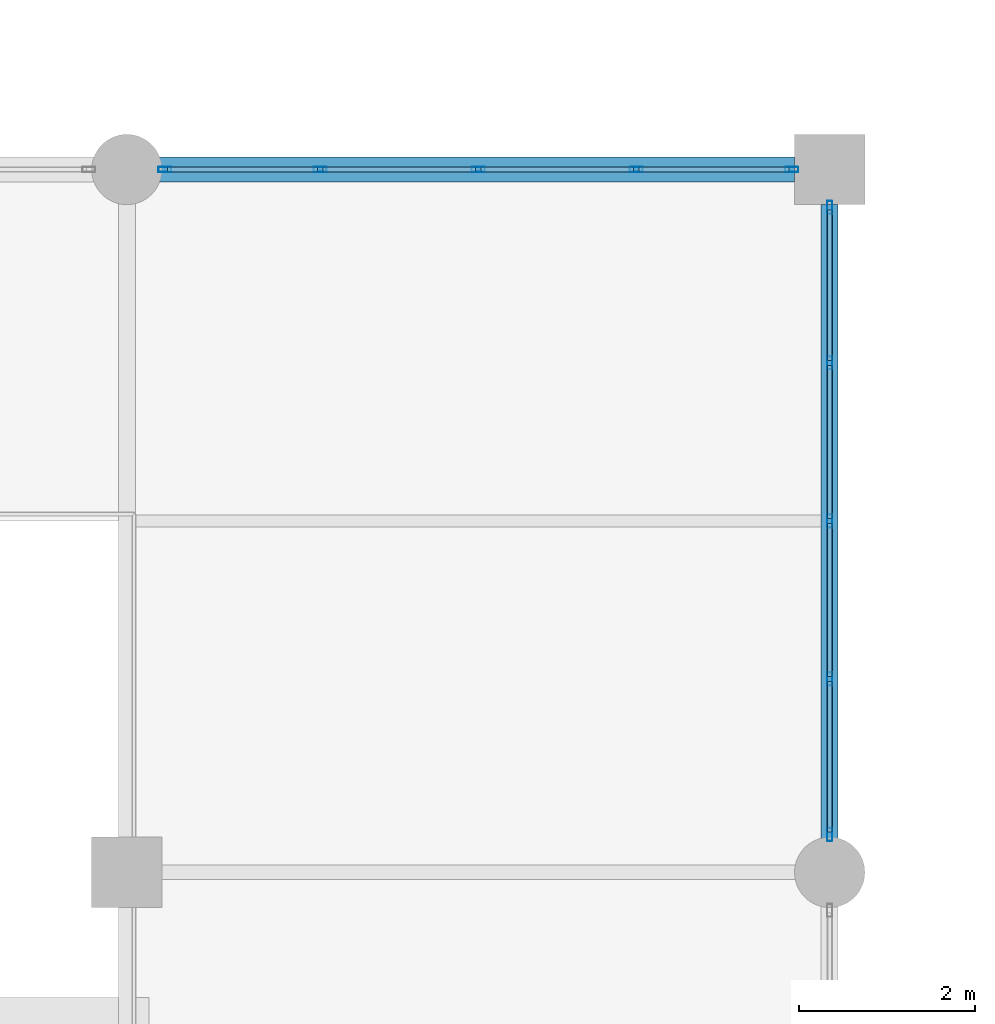
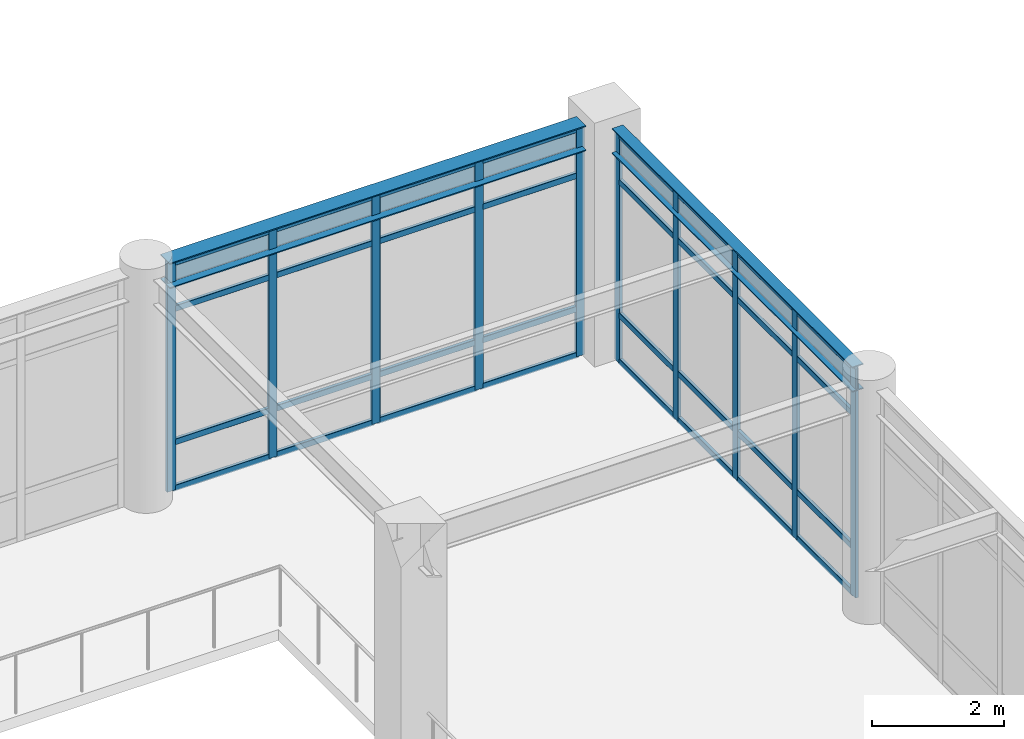
# One storey, part 45 of 75: 42 members, 2 beams, 2 elements without a shape of their own.
"""IFC4 building model written with IfcOpenShell, lengths in metres."""

from ifc_helpers import new_model, si_unit, direction, frame, origin, origin_2d, place, context, subcontext, project, spatial, hollow_rectangle, i_section, extrude, material, material_profile, profile_set, type_object, element, aggregate, save


model = new_model("IFC4")

# Units and contexts
model_context = context("Model", 3, precision=1e-05, world=origin(), true_north=direction((0.0, 1.0)))
body_context = subcontext(model_context, "Body", "Model", "MODEL_VIEW")
ifc_project = project(units=[si_unit("LENGTHUNIT", "METRE"), si_unit("AREAUNIT", "SQUARE_METRE"), si_unit("VOLUMEUNIT", "CUBIC_METRE"), si_unit("PLANEANGLEUNIT", "RADIAN"), si_unit("MASSUNIT", "GRAM", prefix="KILO")], contexts=[model_context])

# Site, building, storey
site_placement = place(None, origin())
site = spatial("IfcSite", under=ifc_project, at=site_placement, CompositionType="ELEMENT")
building_placement = place(site_placement, origin())
building = spatial("IfcBuilding", under=site, at=building_placement, Name="Solmirada Galleria", CompositionType="ELEMENT")
storey_placement = place(building_placement, frame((0.0, 0.0, 19.39990234375)))
storey = spatial("IfcBuildingStorey", under=building, at=storey_placement, Name="L04", CompositionType="ELEMENT", Elevation=19.39990234375)

# Beams
ifc_material_1 = material(Name="Steel S355 / ASTM A992 Grade 50", Category="steel")
ifc_material_profile_1 = material_profile(ifc_material_1, i_section(OverallWidth=0.281982421875, OverallDepth=0.467041015625, WebThickness=0.01220703125, FlangeThickness=0.01953125, FilletRadius=0.013916015625, at=origin_2d()), Name="W18X86")
ifc_profile_set_1 = profile_set([ifc_material_profile_1], Name="Steel S355 / ASTM A992 Grade 50")
beam_type_1 = type_object("IfcBeamType", Name="BM-GIRD-W18A", PredefinedType="BEAM", material=ifc_profile_set_1)
beam_1_placement = place(storey_placement, frame((104.3359375, 72.0, 4.066650390625), z_axis=(1.0, 0.0, 0.0), x_axis=(0.0, 1.0, 0.0)))
element("IfcBeam", 1, at=beam_1_placement, inside=storey, type_object=beam_type_1, Name="Primary beam L05 X(104..112, 72)", PredefinedType="BEAM", context=body_context, shape_type="SweptSolid", body=[
    extrude(i_section(OverallWidth=0.281982421875, OverallDepth=0.467041015625, WebThickness=0.01220703125, FlangeThickness=0.01953125, FilletRadius=0.013916015625, at=origin_2d()), origin(), (0.0, 0.0, 1.0), 7.26416015625),
])
ifc_material_profile_2 = material_profile(ifc_material_1, i_section(OverallWidth=0.193115234375, OverallDepth=0.466064453125, WebThickness=0.011474609375, FlangeThickness=0.01904296875, FilletRadius=0.013916015625, at=origin_2d()), Name="W18X65")
ifc_profile_set_2 = profile_set([ifc_material_profile_2], Name="Steel S355 / ASTM A992 Grade 50")
beam_type_2 = type_object("IfcBeamType", Name="BM-GIRD-W18C", PredefinedType="BEAM", material=ifc_profile_set_2)
beam_2_placement = place(storey_placement, frame((112.0, 64.3359375, 4.067138671875), z_axis=(0.0, 1.0, 0.0), x_axis=(-1.0, 0.0, 0.0)))
element("IfcBeam", 2, at=beam_2_placement, inside=storey, type_object=beam_type_2, Name="Primary girder L05 Y(112, 64..72)", PredefinedType="BEAM", context=body_context, shape_type="SweptSolid", body=[
    extrude(i_section(OverallWidth=0.193115234375, OverallDepth=0.466064453125, WebThickness=0.011474609375, FlangeThickness=0.01904296875, FilletRadius=0.013916015625, at=origin_2d()), origin(), (0.0, 0.0, 1.0), 7.26416015625),
])

# Curtain wall, members
ifc_material_2 = material(Name="Impact-resistant low-E double glazing", Category="glass")
curtain_wall_type = type_object("IfcCurtainWallType", Name="CW-FZ3-L04-B4-L072", PredefinedType="NOTDEFINED", material=ifc_material_2)
curtain_wall_1_placement = place(storey_placement, origin())
curtain_wall_1 = element("IfcCurtainWall", 3, at=curtain_wall_1_placement, inside=storey, type_object=curtain_wall_type, Name="Terrace and arcade storefront CW-L04-153", PredefinedType="NOTDEFINED")
ifc_material_3 = material(Name="Anodised aluminium framing", Category="aluminium")
ifc_material_profile_3 = material_profile(ifc_material_3, hollow_rectangle(XDim=0.06005859375, YDim=0.14990234375, WallThickness=0.00341796875, InnerFilletRadius=0.00341796875, OuterFilletRadius=0.007080078125, at=origin_2d()), Name="ALU-MULL-150X60")
ifc_profile_set_3 = profile_set([ifc_material_profile_3], Name="Anodised aluminium framing")
member_type_1 = type_object("IfcMemberType", Name="CW-MULL-150", PredefinedType="MULLION", material=ifc_profile_set_3)
member_1_placement = place(storey_placement, frame((104.431884765625, 72.0, 0.0), z_axis=(0.0, 0.0, 1.0), x_axis=(0.0, 1.0, 0.0)))
member_1 = element("IfcMember", 4, at=member_1_placement, type_object=member_type_1, Name="CW30 mullion 1", PredefinedType="MULLION", context=body_context, shape_type="SweptSolid", body=[
    extrude(hollow_rectangle(XDim=0.06005859375, YDim=0.14990234375, WallThickness=0.00341796875, InnerFilletRadius=0.00341796875, OuterFilletRadius=0.007080078125, at=origin_2d()), origin(), (0.0, 0.0, 1.0), 4.22021484375),
])
member_2_placement = place(storey_placement, frame((106.200927734375, 72.0, 0.0), z_axis=(0.0, 0.0, 1.0), x_axis=(0.0, 1.0, 0.0)))
member_2 = element("IfcMember", 5, at=member_2_placement, type_object=member_type_1, Name="CW30 mullion 2", PredefinedType="MULLION", context=body_context, shape_type="SweptSolid", body=[
    extrude(hollow_rectangle(XDim=0.06005859375, YDim=0.14990234375, WallThickness=0.00341796875, InnerFilletRadius=0.00341796875, OuterFilletRadius=0.007080078125, at=origin_2d()), origin(), (0.0, 0.0, 1.0), 4.22021484375),
])
member_3_placement = place(storey_placement, frame((108.0, 72.0, 0.0), z_axis=(0.0, 0.0, 1.0), x_axis=(0.0, 1.0, 0.0)))
member_3 = element("IfcMember", 6, at=member_3_placement, type_object=member_type_1, Name="CW30 mullion 3", PredefinedType="MULLION", context=body_context, shape_type="SweptSolid", body=[
    extrude(hollow_rectangle(XDim=0.06005859375, YDim=0.14990234375, WallThickness=0.00341796875, InnerFilletRadius=0.00341796875, OuterFilletRadius=0.007080078125, at=origin_2d()), origin(), (0.0, 0.0, 1.0), 4.22021484375),
])
member_4_placement = place(storey_placement, frame((109.799072265625, 72.0, 0.0), z_axis=(0.0, 0.0, 1.0), x_axis=(0.0, 1.0, 0.0)))
member_4 = element("IfcMember", 7, at=member_4_placement, type_object=member_type_1, Name="CW30 mullion 4", PredefinedType="MULLION", context=body_context, shape_type="SweptSolid", body=[
    extrude(hollow_rectangle(XDim=0.06005859375, YDim=0.14990234375, WallThickness=0.00341796875, InnerFilletRadius=0.00341796875, OuterFilletRadius=0.007080078125, at=origin_2d()), origin(), (0.0, 0.0, 1.0), 4.22021484375),
])
member_5_placement = place(storey_placement, frame((111.568115234375, 72.0, 0.0), z_axis=(0.0, 0.0, 1.0), x_axis=(0.0, 1.0, 0.0)))
member_5 = element("IfcMember", 8, at=member_5_placement, type_object=member_type_1, Name="CW30 mullion 5", PredefinedType="MULLION", context=body_context, shape_type="SweptSolid", body=[
    extrude(hollow_rectangle(XDim=0.06005859375, YDim=0.14990234375, WallThickness=0.00341796875, InnerFilletRadius=0.00341796875, OuterFilletRadius=0.007080078125, at=origin_2d()), origin(), (0.0, 0.0, 1.0), 4.22021484375),
])

curtain_wall_2_placement = place(storey_placement, origin())
curtain_wall_2 = element("IfcCurtainWall", 9, at=curtain_wall_2_placement, inside=storey, type_object=curtain_wall_type, Name="Terrace and arcade storefront CW-L04-154", PredefinedType="NOTDEFINED")
member_6_placement = place(storey_placement, frame((112.0, 71.568115234375, 0.0), z_axis=(0.0, 0.0, 1.0), x_axis=(1.0, 0.0, 0.0)))
member_6 = element("IfcMember", 10, at=member_6_placement, type_object=member_type_1, Name="CW30 mullion 1", PredefinedType="MULLION", context=body_context, shape_type="SweptSolid", body=[
    extrude(hollow_rectangle(XDim=0.06005859375, YDim=0.14990234375, WallThickness=0.00341796875, InnerFilletRadius=0.00341796875, OuterFilletRadius=0.007080078125, at=origin_2d()), origin(), (0.0, 0.0, 1.0), 4.22021484375),
])
member_7_placement = place(storey_placement, frame((112.0, 69.799072265625, 0.0), z_axis=(0.0, 0.0, 1.0), x_axis=(1.0, 0.0, 0.0)))
member_7 = element("IfcMember", 11, at=member_7_placement, type_object=member_type_1, Name="CW30 mullion 2", PredefinedType="MULLION", context=body_context, shape_type="SweptSolid", body=[
    extrude(hollow_rectangle(XDim=0.06005859375, YDim=0.14990234375, WallThickness=0.00341796875, InnerFilletRadius=0.00341796875, OuterFilletRadius=0.007080078125, at=origin_2d()), origin(), (0.0, 0.0, 1.0), 4.22021484375),
])
member_8_placement = place(storey_placement, frame((112.0, 68.0, 0.0), z_axis=(0.0, 0.0, 1.0), x_axis=(1.0, 0.0, 0.0)))
member_8 = element("IfcMember", 12, at=member_8_placement, type_object=member_type_1, Name="CW30 mullion 3", PredefinedType="MULLION", context=body_context, shape_type="SweptSolid", body=[
    extrude(hollow_rectangle(XDim=0.06005859375, YDim=0.14990234375, WallThickness=0.00341796875, InnerFilletRadius=0.00341796875, OuterFilletRadius=0.007080078125, at=origin_2d()), origin(), (0.0, 0.0, 1.0), 4.22021484375),
])
member_9_placement = place(storey_placement, frame((112.0, 66.200927734375, 0.0), z_axis=(0.0, 0.0, 1.0), x_axis=(1.0, 0.0, 0.0)))
member_9 = element("IfcMember", 13, at=member_9_placement, type_object=member_type_1, Name="CW30 mullion 4", PredefinedType="MULLION", context=body_context, shape_type="SweptSolid", body=[
    extrude(hollow_rectangle(XDim=0.06005859375, YDim=0.14990234375, WallThickness=0.00341796875, InnerFilletRadius=0.00341796875, OuterFilletRadius=0.007080078125, at=origin_2d()), origin(), (0.0, 0.0, 1.0), 4.22021484375),
])
member_10_placement = place(storey_placement, frame((112.0, 64.431884765625, 0.0), z_axis=(0.0, 0.0, 1.0), x_axis=(1.0, 0.0, 0.0)))
member_10 = element("IfcMember", 14, at=member_10_placement, type_object=member_type_1, Name="CW30 mullion 5", PredefinedType="MULLION", context=body_context, shape_type="SweptSolid", body=[
    extrude(hollow_rectangle(XDim=0.06005859375, YDim=0.14990234375, WallThickness=0.00341796875, InnerFilletRadius=0.00341796875, OuterFilletRadius=0.007080078125, at=origin_2d()), origin(), (0.0, 0.0, 1.0), 4.22021484375),
])

# Member
ifc_material_profile_4 = material_profile(ifc_material_3, hollow_rectangle(XDim=0.06005859375, YDim=0.110107421875, WallThickness=0.003173828125, InnerFilletRadius=0.003173828125, OuterFilletRadius=0.00634765625, at=origin_2d()), Name="ALU-TRAN-110X60")
ifc_profile_set_4 = profile_set([ifc_material_profile_4], Name="Anodised aluminium framing")
member_type_2 = type_object("IfcMemberType", Name="CW-TRAN-110", PredefinedType="USERDEFINED", material=ifc_profile_set_4)
member_11_placement = place(storey_placement, frame((104.4619140625, 72.0, 0.030029296875), z_axis=(1.0, 0.0, 0.0), x_axis=(0.0, 1.0, 0.0)))
member_11 = element("IfcMember", 15, at=member_11_placement, type_object=member_type_2, Name="CW30 transom 1.1", ObjectType="TRANSOM", PredefinedType="USERDEFINED", context=body_context, shape_type="SweptSolid", body=[
    extrude(hollow_rectangle(XDim=0.06005859375, YDim=0.110107421875, WallThickness=0.003173828125, InnerFilletRadius=0.003173828125, OuterFilletRadius=0.00634765625, at=origin_2d()), origin(), (0.0, 0.0, 1.0), 1.708984375),
])

member_12_placement = place(storey_placement, frame((104.4619140625, 72.0, 0.880126953125), z_axis=(1.0, 0.0, 0.0), x_axis=(0.0, 1.0, 0.0)))
member_12 = element("IfcMember", 16, at=member_12_placement, type_object=member_type_2, Name="CW30 transom 1.2", ObjectType="TRANSOM", PredefinedType="USERDEFINED", context=body_context, shape_type="SweptSolid", body=[
    extrude(hollow_rectangle(XDim=0.06005859375, YDim=0.110107421875, WallThickness=0.003173828125, InnerFilletRadius=0.003173828125, OuterFilletRadius=0.00634765625, at=origin_2d()), origin(), (0.0, 0.0, 1.0), 1.708984375),
])

member_13_placement = place(storey_placement, frame((104.4619140625, 72.0, 3.340087890625), z_axis=(1.0, 0.0, 0.0), x_axis=(0.0, 1.0, 0.0)))
member_13 = element("IfcMember", 17, at=member_13_placement, type_object=member_type_2, Name="CW30 transom 1.3", ObjectType="TRANSOM", PredefinedType="USERDEFINED", context=body_context, shape_type="SweptSolid", body=[
    extrude(hollow_rectangle(XDim=0.06005859375, YDim=0.110107421875, WallThickness=0.003173828125, InnerFilletRadius=0.003173828125, OuterFilletRadius=0.00634765625, at=origin_2d()), origin(), (0.0, 0.0, 1.0), 1.708984375),
])

member_14_placement = place(storey_placement, frame((104.4619140625, 72.0, 4.190185546875), z_axis=(1.0, 0.0, 0.0), x_axis=(0.0, 1.0, 0.0)))
member_14 = element("IfcMember", 18, at=member_14_placement, type_object=member_type_2, Name="CW30 transom 1.4", ObjectType="TRANSOM", PredefinedType="USERDEFINED", context=body_context, shape_type="SweptSolid", body=[
    extrude(hollow_rectangle(XDim=0.06005859375, YDim=0.110107421875, WallThickness=0.003173828125, InnerFilletRadius=0.003173828125, OuterFilletRadius=0.00634765625, at=origin_2d()), origin(), (0.0, 0.0, 1.0), 1.708984375),
])

member_15_placement = place(storey_placement, frame((106.23095703125, 72.0, 0.030029296875), z_axis=(1.0, 0.0, 0.0), x_axis=(0.0, 1.0, 0.0)))
member_15 = element("IfcMember", 19, at=member_15_placement, type_object=member_type_2, Name="CW30 transom 2.1", ObjectType="TRANSOM", PredefinedType="USERDEFINED", context=body_context, shape_type="SweptSolid", body=[
    extrude(hollow_rectangle(XDim=0.06005859375, YDim=0.110107421875, WallThickness=0.003173828125, InnerFilletRadius=0.003173828125, OuterFilletRadius=0.00634765625, at=origin_2d()), origin(), (0.0, 0.0, 1.0), 1.739013671875),
])

member_16_placement = place(storey_placement, frame((106.23095703125, 72.0, 0.880126953125), z_axis=(1.0, 0.0, 0.0), x_axis=(0.0, 1.0, 0.0)))
member_16 = element("IfcMember", 20, at=member_16_placement, type_object=member_type_2, Name="CW30 transom 2.2", ObjectType="TRANSOM", PredefinedType="USERDEFINED", context=body_context, shape_type="SweptSolid", body=[
    extrude(hollow_rectangle(XDim=0.06005859375, YDim=0.110107421875, WallThickness=0.003173828125, InnerFilletRadius=0.003173828125, OuterFilletRadius=0.00634765625, at=origin_2d()), origin(), (0.0, 0.0, 1.0), 1.739013671875),
])

member_17_placement = place(storey_placement, frame((106.23095703125, 72.0, 3.340087890625), z_axis=(1.0, 0.0, 0.0), x_axis=(0.0, 1.0, 0.0)))
member_17 = element("IfcMember", 21, at=member_17_placement, type_object=member_type_2, Name="CW30 transom 2.3", ObjectType="TRANSOM", PredefinedType="USERDEFINED", context=body_context, shape_type="SweptSolid", body=[
    extrude(hollow_rectangle(XDim=0.06005859375, YDim=0.110107421875, WallThickness=0.003173828125, InnerFilletRadius=0.003173828125, OuterFilletRadius=0.00634765625, at=origin_2d()), origin(), (0.0, 0.0, 1.0), 1.739013671875),
])

member_18_placement = place(storey_placement, frame((106.23095703125, 72.0, 4.190185546875), z_axis=(1.0, 0.0, 0.0), x_axis=(0.0, 1.0, 0.0)))
member_18 = element("IfcMember", 22, at=member_18_placement, type_object=member_type_2, Name="CW30 transom 2.4", ObjectType="TRANSOM", PredefinedType="USERDEFINED", context=body_context, shape_type="SweptSolid", body=[
    extrude(hollow_rectangle(XDim=0.06005859375, YDim=0.110107421875, WallThickness=0.003173828125, InnerFilletRadius=0.003173828125, OuterFilletRadius=0.00634765625, at=origin_2d()), origin(), (0.0, 0.0, 1.0), 1.739013671875),
])

member_19_placement = place(storey_placement, frame((108.030029296875, 72.0, 0.030029296875), z_axis=(1.0, 0.0, 0.0), x_axis=(0.0, 1.0, 0.0)))
member_19 = element("IfcMember", 23, at=member_19_placement, type_object=member_type_2, Name="CW30 transom 3.1", ObjectType="TRANSOM", PredefinedType="USERDEFINED", context=body_context, shape_type="SweptSolid", body=[
    extrude(hollow_rectangle(XDim=0.06005859375, YDim=0.110107421875, WallThickness=0.003173828125, InnerFilletRadius=0.003173828125, OuterFilletRadius=0.00634765625, at=origin_2d()), origin(), (0.0, 0.0, 1.0), 1.739013671875),
])

member_20_placement = place(storey_placement, frame((108.030029296875, 72.0, 0.880126953125), z_axis=(1.0, 0.0, 0.0), x_axis=(0.0, 1.0, 0.0)))
member_20 = element("IfcMember", 24, at=member_20_placement, type_object=member_type_2, Name="CW30 transom 3.2", ObjectType="TRANSOM", PredefinedType="USERDEFINED", context=body_context, shape_type="SweptSolid", body=[
    extrude(hollow_rectangle(XDim=0.06005859375, YDim=0.110107421875, WallThickness=0.003173828125, InnerFilletRadius=0.003173828125, OuterFilletRadius=0.00634765625, at=origin_2d()), origin(), (0.0, 0.0, 1.0), 1.739013671875),
])

member_21_placement = place(storey_placement, frame((108.030029296875, 72.0, 3.340087890625), z_axis=(1.0, 0.0, 0.0), x_axis=(0.0, 1.0, 0.0)))
member_21 = element("IfcMember", 25, at=member_21_placement, type_object=member_type_2, Name="CW30 transom 3.3", ObjectType="TRANSOM", PredefinedType="USERDEFINED", context=body_context, shape_type="SweptSolid", body=[
    extrude(hollow_rectangle(XDim=0.06005859375, YDim=0.110107421875, WallThickness=0.003173828125, InnerFilletRadius=0.003173828125, OuterFilletRadius=0.00634765625, at=origin_2d()), origin(), (0.0, 0.0, 1.0), 1.739013671875),
])

member_22_placement = place(storey_placement, frame((108.030029296875, 72.0, 4.190185546875), z_axis=(1.0, 0.0, 0.0), x_axis=(0.0, 1.0, 0.0)))
member_22 = element("IfcMember", 26, at=member_22_placement, type_object=member_type_2, Name="CW30 transom 3.4", ObjectType="TRANSOM", PredefinedType="USERDEFINED", context=body_context, shape_type="SweptSolid", body=[
    extrude(hollow_rectangle(XDim=0.06005859375, YDim=0.110107421875, WallThickness=0.003173828125, InnerFilletRadius=0.003173828125, OuterFilletRadius=0.00634765625, at=origin_2d()), origin(), (0.0, 0.0, 1.0), 1.739013671875),
])

member_23_placement = place(storey_placement, frame((109.8291015625, 72.0, 0.030029296875), z_axis=(1.0, 0.0, 0.0), x_axis=(0.0, 1.0, 0.0)))
member_23 = element("IfcMember", 27, at=member_23_placement, type_object=member_type_2, Name="CW30 transom 4.1", ObjectType="TRANSOM", PredefinedType="USERDEFINED", context=body_context, shape_type="SweptSolid", body=[
    extrude(hollow_rectangle(XDim=0.06005859375, YDim=0.110107421875, WallThickness=0.003173828125, InnerFilletRadius=0.003173828125, OuterFilletRadius=0.00634765625, at=origin_2d()), origin(), (0.0, 0.0, 1.0), 1.708984375),
])

member_24_placement = place(storey_placement, frame((109.8291015625, 72.0, 0.880126953125), z_axis=(1.0, 0.0, 0.0), x_axis=(0.0, 1.0, 0.0)))
member_24 = element("IfcMember", 28, at=member_24_placement, type_object=member_type_2, Name="CW30 transom 4.2", ObjectType="TRANSOM", PredefinedType="USERDEFINED", context=body_context, shape_type="SweptSolid", body=[
    extrude(hollow_rectangle(XDim=0.06005859375, YDim=0.110107421875, WallThickness=0.003173828125, InnerFilletRadius=0.003173828125, OuterFilletRadius=0.00634765625, at=origin_2d()), origin(), (0.0, 0.0, 1.0), 1.708984375),
])

member_25_placement = place(storey_placement, frame((109.8291015625, 72.0, 3.340087890625), z_axis=(1.0, 0.0, 0.0), x_axis=(0.0, 1.0, 0.0)))
member_25 = element("IfcMember", 29, at=member_25_placement, type_object=member_type_2, Name="CW30 transom 4.3", ObjectType="TRANSOM", PredefinedType="USERDEFINED", context=body_context, shape_type="SweptSolid", body=[
    extrude(hollow_rectangle(XDim=0.06005859375, YDim=0.110107421875, WallThickness=0.003173828125, InnerFilletRadius=0.003173828125, OuterFilletRadius=0.00634765625, at=origin_2d()), origin(), (0.0, 0.0, 1.0), 1.708984375),
])

member_26_placement = place(storey_placement, frame((109.8291015625, 72.0, 4.190185546875), z_axis=(1.0, 0.0, 0.0), x_axis=(0.0, 1.0, 0.0)))
member_26 = element("IfcMember", 30, at=member_26_placement, type_object=member_type_2, Name="CW30 transom 4.4", ObjectType="TRANSOM", PredefinedType="USERDEFINED", context=body_context, shape_type="SweptSolid", body=[
    extrude(hollow_rectangle(XDim=0.06005859375, YDim=0.110107421875, WallThickness=0.003173828125, InnerFilletRadius=0.003173828125, OuterFilletRadius=0.00634765625, at=origin_2d()), origin(), (0.0, 0.0, 1.0), 1.708984375),
])

aggregate(curtain_wall_1, [member_1, member_2, member_3, member_4, member_5, member_11, member_12, member_13, member_14, member_15, member_16, member_17, member_18, member_19, member_20, member_21, member_22, member_23, member_24, member_25, member_26])

member_27_placement = place(storey_placement, frame((112.0, 71.5380859375, 0.030029296875), z_axis=(0.0, -1.0, 0.0), x_axis=(1.0, 0.0, 0.0)))
member_27 = element("IfcMember", 31, at=member_27_placement, type_object=member_type_2, Name="CW30 transom 1.1", ObjectType="TRANSOM", PredefinedType="USERDEFINED", context=body_context, shape_type="SweptSolid", body=[
    extrude(hollow_rectangle(XDim=0.06005859375, YDim=0.110107421875, WallThickness=0.003173828125, InnerFilletRadius=0.003173828125, OuterFilletRadius=0.00634765625, at=origin_2d()), origin(), (0.0, 0.0, 1.0), 1.708984375),
])

member_28_placement = place(storey_placement, frame((112.0, 71.5380859375, 0.880126953125), z_axis=(0.0, -1.0, 0.0), x_axis=(1.0, 0.0, 0.0)))
member_28 = element("IfcMember", 32, at=member_28_placement, type_object=member_type_2, Name="CW30 transom 1.2", ObjectType="TRANSOM", PredefinedType="USERDEFINED", context=body_context, shape_type="SweptSolid", body=[
    extrude(hollow_rectangle(XDim=0.06005859375, YDim=0.110107421875, WallThickness=0.003173828125, InnerFilletRadius=0.003173828125, OuterFilletRadius=0.00634765625, at=origin_2d()), origin(), (0.0, 0.0, 1.0), 1.708984375),
])

member_29_placement = place(storey_placement, frame((112.0, 71.5380859375, 3.340087890625), z_axis=(0.0, -1.0, 0.0), x_axis=(1.0, 0.0, 0.0)))
member_29 = element("IfcMember", 33, at=member_29_placement, type_object=member_type_2, Name="CW30 transom 1.3", ObjectType="TRANSOM", PredefinedType="USERDEFINED", context=body_context, shape_type="SweptSolid", body=[
    extrude(hollow_rectangle(XDim=0.06005859375, YDim=0.110107421875, WallThickness=0.003173828125, InnerFilletRadius=0.003173828125, OuterFilletRadius=0.00634765625, at=origin_2d()), origin(), (0.0, 0.0, 1.0), 1.708984375),
])

member_30_placement = place(storey_placement, frame((112.0, 71.5380859375, 4.190185546875), z_axis=(0.0, -1.0, 0.0), x_axis=(1.0, 0.0, 0.0)))
member_30 = element("IfcMember", 34, at=member_30_placement, type_object=member_type_2, Name="CW30 transom 1.4", ObjectType="TRANSOM", PredefinedType="USERDEFINED", context=body_context, shape_type="SweptSolid", body=[
    extrude(hollow_rectangle(XDim=0.06005859375, YDim=0.110107421875, WallThickness=0.003173828125, InnerFilletRadius=0.003173828125, OuterFilletRadius=0.00634765625, at=origin_2d()), origin(), (0.0, 0.0, 1.0), 1.708984375),
])

member_31_placement = place(storey_placement, frame((112.0, 69.76904296875, 0.030029296875), z_axis=(0.0, -1.0, 0.0), x_axis=(1.0, 0.0, 0.0)))
member_31 = element("IfcMember", 35, at=member_31_placement, type_object=member_type_2, Name="CW30 transom 2.1", ObjectType="TRANSOM", PredefinedType="USERDEFINED", context=body_context, shape_type="SweptSolid", body=[
    extrude(hollow_rectangle(XDim=0.06005859375, YDim=0.110107421875, WallThickness=0.003173828125, InnerFilletRadius=0.003173828125, OuterFilletRadius=0.00634765625, at=origin_2d()), origin(), (0.0, 0.0, 1.0), 1.739013671875),
])

member_32_placement = place(storey_placement, frame((112.0, 69.76904296875, 0.880126953125), z_axis=(0.0, -1.0, 0.0), x_axis=(1.0, 0.0, 0.0)))
member_32 = element("IfcMember", 36, at=member_32_placement, type_object=member_type_2, Name="CW30 transom 2.2", ObjectType="TRANSOM", PredefinedType="USERDEFINED", context=body_context, shape_type="SweptSolid", body=[
    extrude(hollow_rectangle(XDim=0.06005859375, YDim=0.110107421875, WallThickness=0.003173828125, InnerFilletRadius=0.003173828125, OuterFilletRadius=0.00634765625, at=origin_2d()), origin(), (0.0, 0.0, 1.0), 1.739013671875),
])

member_33_placement = place(storey_placement, frame((112.0, 69.76904296875, 3.340087890625), z_axis=(0.0, -1.0, 0.0), x_axis=(1.0, 0.0, 0.0)))
member_33 = element("IfcMember", 37, at=member_33_placement, type_object=member_type_2, Name="CW30 transom 2.3", ObjectType="TRANSOM", PredefinedType="USERDEFINED", context=body_context, shape_type="SweptSolid", body=[
    extrude(hollow_rectangle(XDim=0.06005859375, YDim=0.110107421875, WallThickness=0.003173828125, InnerFilletRadius=0.003173828125, OuterFilletRadius=0.00634765625, at=origin_2d()), origin(), (0.0, 0.0, 1.0), 1.739013671875),
])

member_34_placement = place(storey_placement, frame((112.0, 69.76904296875, 4.190185546875), z_axis=(0.0, -1.0, 0.0), x_axis=(1.0, 0.0, 0.0)))
member_34 = element("IfcMember", 38, at=member_34_placement, type_object=member_type_2, Name="CW30 transom 2.4", ObjectType="TRANSOM", PredefinedType="USERDEFINED", context=body_context, shape_type="SweptSolid", body=[
    extrude(hollow_rectangle(XDim=0.06005859375, YDim=0.110107421875, WallThickness=0.003173828125, InnerFilletRadius=0.003173828125, OuterFilletRadius=0.00634765625, at=origin_2d()), origin(), (0.0, 0.0, 1.0), 1.739013671875),
])

member_35_placement = place(storey_placement, frame((112.0, 67.969970703125, 0.030029296875), z_axis=(0.0, -1.0, 0.0), x_axis=(1.0, 0.0, 0.0)))
member_35 = element("IfcMember", 39, at=member_35_placement, type_object=member_type_2, Name="CW30 transom 3.1", ObjectType="TRANSOM", PredefinedType="USERDEFINED", context=body_context, shape_type="SweptSolid", body=[
    extrude(hollow_rectangle(XDim=0.06005859375, YDim=0.110107421875, WallThickness=0.003173828125, InnerFilletRadius=0.003173828125, OuterFilletRadius=0.00634765625, at=origin_2d()), origin(), (0.0, 0.0, 1.0), 1.739013671875),
])

member_36_placement = place(storey_placement, frame((112.0, 67.969970703125, 0.880126953125), z_axis=(0.0, -1.0, 0.0), x_axis=(1.0, 0.0, 0.0)))
member_36 = element("IfcMember", 40, at=member_36_placement, type_object=member_type_2, Name="CW30 transom 3.2", ObjectType="TRANSOM", PredefinedType="USERDEFINED", context=body_context, shape_type="SweptSolid", body=[
    extrude(hollow_rectangle(XDim=0.06005859375, YDim=0.110107421875, WallThickness=0.003173828125, InnerFilletRadius=0.003173828125, OuterFilletRadius=0.00634765625, at=origin_2d()), origin(), (0.0, 0.0, 1.0), 1.739013671875),
])

member_37_placement = place(storey_placement, frame((112.0, 67.969970703125, 3.340087890625), z_axis=(0.0, -1.0, 0.0), x_axis=(1.0, 0.0, 0.0)))
member_37 = element("IfcMember", 41, at=member_37_placement, type_object=member_type_2, Name="CW30 transom 3.3", ObjectType="TRANSOM", PredefinedType="USERDEFINED", context=body_context, shape_type="SweptSolid", body=[
    extrude(hollow_rectangle(XDim=0.06005859375, YDim=0.110107421875, WallThickness=0.003173828125, InnerFilletRadius=0.003173828125, OuterFilletRadius=0.00634765625, at=origin_2d()), origin(), (0.0, 0.0, 1.0), 1.739013671875),
])

member_38_placement = place(storey_placement, frame((112.0, 67.969970703125, 4.190185546875), z_axis=(0.0, -1.0, 0.0), x_axis=(1.0, 0.0, 0.0)))
member_38 = element("IfcMember", 42, at=member_38_placement, type_object=member_type_2, Name="CW30 transom 3.4", ObjectType="TRANSOM", PredefinedType="USERDEFINED", context=body_context, shape_type="SweptSolid", body=[
    extrude(hollow_rectangle(XDim=0.06005859375, YDim=0.110107421875, WallThickness=0.003173828125, InnerFilletRadius=0.003173828125, OuterFilletRadius=0.00634765625, at=origin_2d()), origin(), (0.0, 0.0, 1.0), 1.739013671875),
])

member_39_placement = place(storey_placement, frame((112.0, 66.1708984375, 0.030029296875), z_axis=(0.0, -1.0, 0.0), x_axis=(1.0, 0.0, 0.0)))
member_39 = element("IfcMember", 43, at=member_39_placement, type_object=member_type_2, Name="CW30 transom 4.1", ObjectType="TRANSOM", PredefinedType="USERDEFINED", context=body_context, shape_type="SweptSolid", body=[
    extrude(hollow_rectangle(XDim=0.06005859375, YDim=0.110107421875, WallThickness=0.003173828125, InnerFilletRadius=0.003173828125, OuterFilletRadius=0.00634765625, at=origin_2d()), origin(), (0.0, 0.0, 1.0), 1.708984375),
])

member_40_placement = place(storey_placement, frame((112.0, 66.1708984375, 0.880126953125), z_axis=(0.0, -1.0, 0.0), x_axis=(1.0, 0.0, 0.0)))
member_40 = element("IfcMember", 44, at=member_40_placement, type_object=member_type_2, Name="CW30 transom 4.2", ObjectType="TRANSOM", PredefinedType="USERDEFINED", context=body_context, shape_type="SweptSolid", body=[
    extrude(hollow_rectangle(XDim=0.06005859375, YDim=0.110107421875, WallThickness=0.003173828125, InnerFilletRadius=0.003173828125, OuterFilletRadius=0.00634765625, at=origin_2d()), origin(), (0.0, 0.0, 1.0), 1.708984375),
])

member_41_placement = place(storey_placement, frame((112.0, 66.1708984375, 3.340087890625), z_axis=(0.0, -1.0, 0.0), x_axis=(1.0, 0.0, 0.0)))
member_41 = element("IfcMember", 45, at=member_41_placement, type_object=member_type_2, Name="CW30 transom 4.3", ObjectType="TRANSOM", PredefinedType="USERDEFINED", context=body_context, shape_type="SweptSolid", body=[
    extrude(hollow_rectangle(XDim=0.06005859375, YDim=0.110107421875, WallThickness=0.003173828125, InnerFilletRadius=0.003173828125, OuterFilletRadius=0.00634765625, at=origin_2d()), origin(), (0.0, 0.0, 1.0), 1.708984375),
])

member_42_placement = place(storey_placement, frame((112.0, 66.1708984375, 4.190185546875), z_axis=(0.0, -1.0, 0.0), x_axis=(1.0, 0.0, 0.0)))
member_42 = element("IfcMember", 46, at=member_42_placement, type_object=member_type_2, Name="CW30 transom 4.4", ObjectType="TRANSOM", PredefinedType="USERDEFINED", context=body_context, shape_type="SweptSolid", body=[
    extrude(hollow_rectangle(XDim=0.06005859375, YDim=0.110107421875, WallThickness=0.003173828125, InnerFilletRadius=0.003173828125, OuterFilletRadius=0.00634765625, at=origin_2d()), origin(), (0.0, 0.0, 1.0), 1.708984375),
])

aggregate(curtain_wall_2, [member_6, member_7, member_8, member_9, member_10, member_27, member_28, member_29, member_30, member_31, member_32, member_33, member_34, member_35, member_36, member_37, member_38, member_39, member_40, member_41, member_42])

save(model, "model.ifc")
